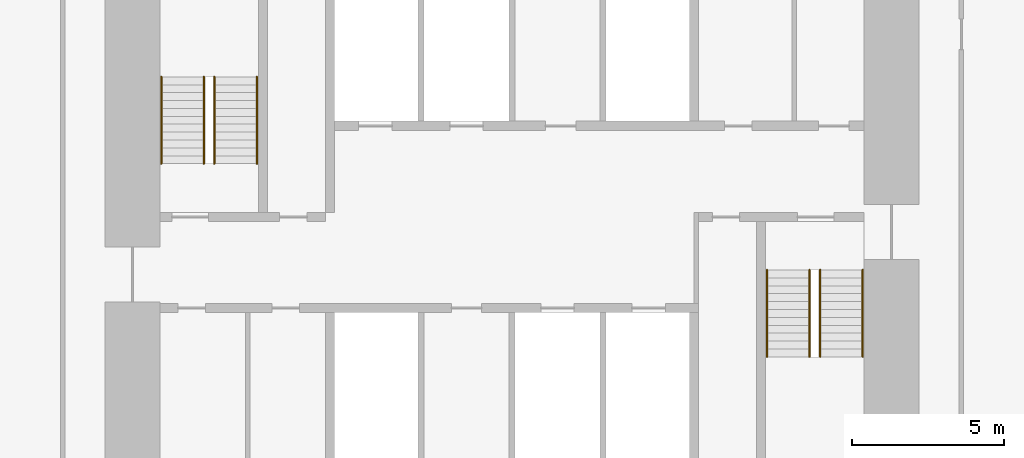
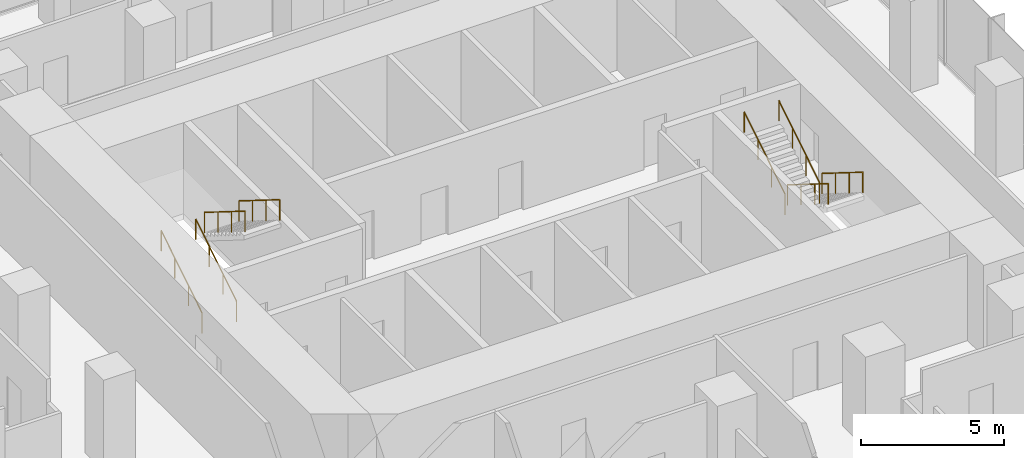
# One storey, part 11 of 11: 8 railings.
"""IFC4 building model written with IfcOpenShell, lengths in metres."""

from ifc_helpers import new_model, si_unit, direction, frame, origin, origin_2d, place, context, subcontext, project, spatial, circle, extrude, material, type_object, element, save


model = new_model("IFC4")

# Units and contexts
model_context = context("Model", 3, precision=1e-05, world=origin(), true_north=direction((0.0, 1.0)))
body_context = subcontext(model_context, "Body", "Model", "MODEL_VIEW")
ifc_project = project(units=[si_unit("LENGTHUNIT", "METRE"), si_unit("AREAUNIT", "SQUARE_METRE"), si_unit("VOLUMEUNIT", "CUBIC_METRE"), si_unit("PLANEANGLEUNIT", "RADIAN"), si_unit("MASSUNIT", "GRAM", prefix="KILO")], contexts=[model_context])

# Site, building, storey
site_placement = place(None, origin())
site = spatial("IfcSite", under=ifc_project, at=site_placement, CompositionType="ELEMENT")
building_placement = place(site_placement, origin())
building = spatial("IfcBuilding", under=site, at=building_placement, Name="Highveld Stack Headquarters", CompositionType="ELEMENT")
storey_placement = place(building_placement, frame((0.0, 0.0, 216.199951171875)))
storey = spatial("IfcBuildingStorey", under=building, at=storey_placement, Name="L53", CompositionType="ELEMENT", Elevation=216.199951171875)

# Railings
ifc_material = material(Name="Stainless steel handrail", Category="steel")
railing_type = type_object("IfcRailingType", Name="STAIR HANDRAIL HR1 900", PredefinedType="HANDRAIL", material=ifc_material)
for number, where, name in (
    (1, (-5.550048828125, 4.75, 0.16259765625), "Handrail S1 L53 flight 1"),
    (2, (-4.14990234375, 4.75, 0.16259765625), "Handrail S1 L53 flight 1"),
):
    element("IfcRailing", number, at=place(storey_placement, frame(where)), inside=storey, type_object=railing_type, Name=name, PredefinedType="HANDRAIL", context=body_context, shape_type="SweptSolid", body=[
        extrude(circle(Radius=0.02392578125, at=origin_2d()), frame((0.0, 0.0, 0.8759765625), z_axis=(0.0, 0.848026770018, 0.529953391661), x_axis=(-1.0, 0.0, 0.0)), (0.0, 0.0, 1.0), 3.37255859375),
        extrude(circle(Radius=0.02099609375, at=origin_2d()), origin(), (0.0, 0.0, 1.0), 0.851806640625),
        extrude(circle(Radius=0.02099609375, at=origin_2d()), frame((0.0, 0.953369140625, 0.595703125)), (0.0, 0.0, 1.0), 0.851806640625),
        extrude(circle(Radius=0.02099609375, at=origin_2d()), frame((0.0, 1.90673828125, 1.191650390625)), (0.0, 0.0, 1.0), 0.851806640625),
        extrude(circle(Radius=0.02099609375, at=origin_2d()), frame((0.0, 2.860107421875, 1.787353515625)), (0.0, 0.0, 1.0), 0.851806640625),
    ])
for number, where, name in (
    (3, (-3.800048828125, 7.610107421875, 2.112548828125), "Handrail S1 L53 flight 2"),
    (4, (-2.39990234375, 7.610107421875, 2.112548828125), "Handrail S1 L53 flight 2"),
):
    element("IfcRailing", number, at=place(storey_placement, frame(where)), inside=storey, type_object=railing_type, Name=name, PredefinedType="HANDRAIL", context=body_context, shape_type="SweptSolid", body=[
        extrude(circle(Radius=0.02392578125, at=origin_2d()), frame((0.0, 0.0, 0.8759765625), z_axis=(0.0, -0.847994237388, 0.530005446535), x_axis=(1.0, 0.0, 0.0)), (0.0, 0.0, 1.0), 3.372802734375),
        extrude(circle(Radius=0.02099609375, at=origin_2d()), origin(), (0.0, 0.0, 1.0), 0.851806640625),
        extrude(circle(Radius=0.02099609375, at=origin_2d()), frame((0.0, -0.953369140625, 0.595947265625)), (0.0, 0.0, 1.0), 0.851806640625),
        extrude(circle(Radius=0.02099609375, at=origin_2d()), frame((0.0, -1.90673828125, 1.191650390625)), (0.0, 0.0, 1.0), 0.851806640625),
        extrude(circle(Radius=0.02099609375, at=origin_2d()), frame((0.0, -2.860107421875, 1.78759765625)), (0.0, 0.0, 1.0), 0.851806640625),
    ])
for number, where, name in (
    (5, (16.14990234375, 1.25, 0.16259765625), "Handrail S2 L53 flight 1"),
    (6, (17.550048828125, 1.25, 0.16259765625), "Handrail S2 L53 flight 1"),
):
    element("IfcRailing", number, at=place(storey_placement, frame(where)), inside=storey, type_object=railing_type, Name=name, PredefinedType="HANDRAIL", context=body_context, shape_type="SweptSolid", body=[
        extrude(circle(Radius=0.02392578125, at=origin_2d()), frame((0.0, 0.0, 0.8759765625), z_axis=(0.0, -0.848026770018, 0.529953391661), x_axis=(1.0, 0.0, 0.0)), (0.0, 0.0, 1.0), 3.37255859375),
        extrude(circle(Radius=0.02099609375, at=origin_2d()), origin(), (0.0, 0.0, 1.0), 0.851806640625),
        extrude(circle(Radius=0.02099609375, at=origin_2d()), frame((0.0, -0.953369140625, 0.595703125)), (0.0, 0.0, 1.0), 0.851806640625),
        extrude(circle(Radius=0.02099609375, at=origin_2d()), frame((0.0, -1.90673828125, 1.191650390625)), (0.0, 0.0, 1.0), 0.851806640625),
        extrude(circle(Radius=0.02099609375, at=origin_2d()), frame((0.0, -2.860107421875, 1.787353515625)), (0.0, 0.0, 1.0), 0.851806640625),
    ])
for number, where, name in (
    (7, (14.39990234375, -1.610107421875, 2.112548828125), "Handrail S2 L53 flight 2"),
    (8, (15.800048828125, -1.610107421875, 2.112548828125), "Handrail S2 L53 flight 2"),
):
    element("IfcRailing", number, at=place(storey_placement, frame(where)), inside=storey, type_object=railing_type, Name=name, PredefinedType="HANDRAIL", context=body_context, shape_type="SweptSolid", body=[
        extrude(circle(Radius=0.02392578125, at=origin_2d()), frame((0.0, 0.0, 0.8759765625), z_axis=(0.0, 0.847994237388, 0.530005446535), x_axis=(-1.0, 0.0, 0.0)), (0.0, 0.0, 1.0), 3.372802734375),
        extrude(circle(Radius=0.02099609375, at=origin_2d()), origin(), (0.0, 0.0, 1.0), 0.851806640625),
        extrude(circle(Radius=0.02099609375, at=origin_2d()), frame((0.0, 0.953369140625, 0.595947265625)), (0.0, 0.0, 1.0), 0.851806640625),
        extrude(circle(Radius=0.02099609375, at=origin_2d()), frame((0.0, 1.90673828125, 1.191650390625)), (0.0, 0.0, 1.0), 0.851806640625),
        extrude(circle(Radius=0.02099609375, at=origin_2d()), frame((0.0, 2.860107421875, 1.78759765625)), (0.0, 0.0, 1.0), 0.851806640625),
    ])

save(model, "model.ifc")
